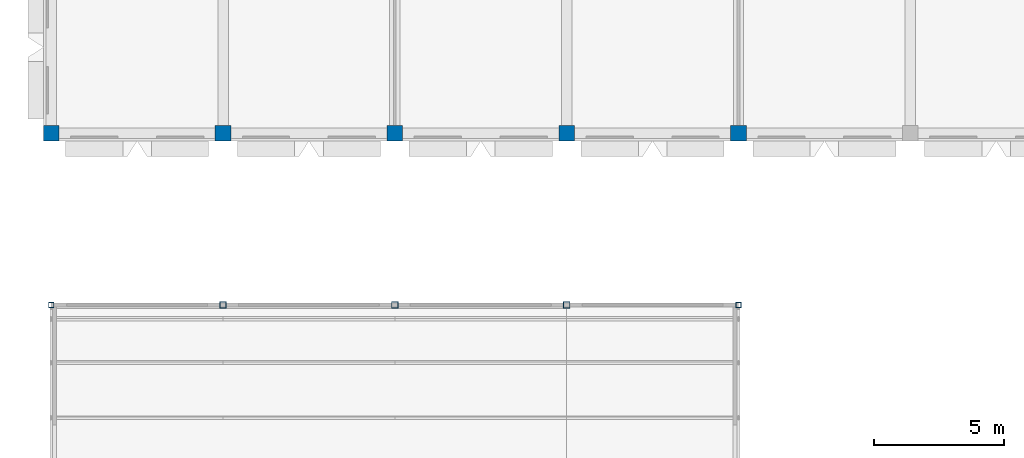
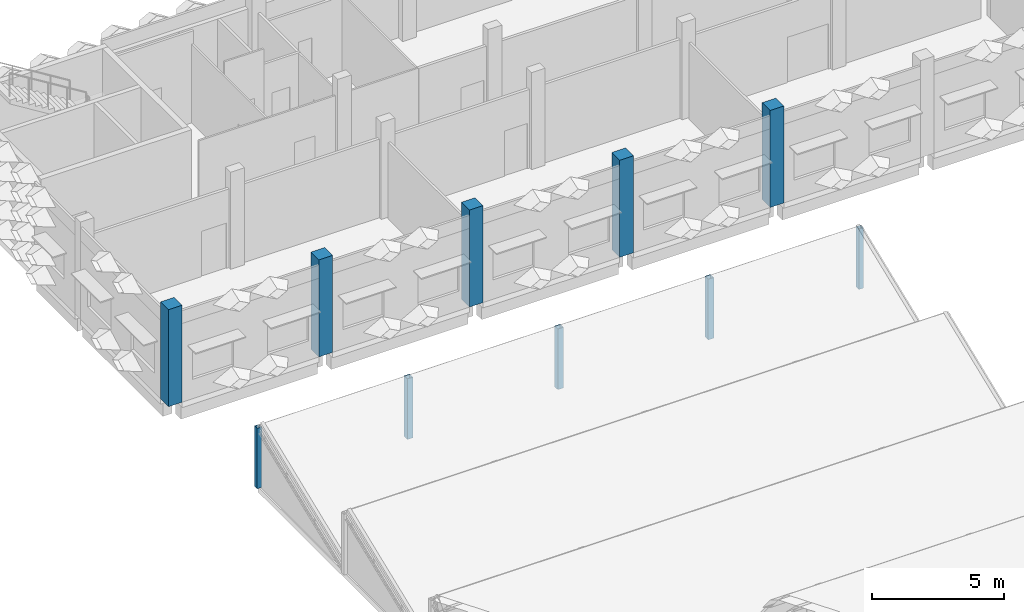
# One storey, part 3 of 109: 10 columns.
"""IFC4 building model written with IfcOpenShell, lengths in metres."""

from ifc_helpers import new_model, si_unit, direction, frame, origin, origin_2d, place, context, subcontext, project, spatial, rectangle, hollow_rectangle, extrude, material, material_profile, profile_set, type_object, element, save


model = new_model("IFC4")

# Units and contexts
model_context = context("Model", 3, precision=1e-05, world=origin(), true_north=direction((0.0, 1.0)))
body_context = subcontext(model_context, "Body", "Model", "MODEL_VIEW")
ifc_project = project(units=[si_unit("LENGTHUNIT", "METRE"), si_unit("AREAUNIT", "SQUARE_METRE"), si_unit("VOLUMEUNIT", "CUBIC_METRE"), si_unit("PLANEANGLEUNIT", "RADIAN"), si_unit("MASSUNIT", "GRAM", prefix="KILO")], contexts=[model_context])

# Site, building, storey
site_placement = place(None, origin())
site = spatial("IfcSite", under=ifc_project, at=site_placement, CompositionType="ELEMENT")
building_placement = place(site_placement, origin())
building = spatial("IfcBuilding", under=site, at=building_placement, Name="Lantern Court Research Institute", CompositionType="ELEMENT")
storey_placement = place(building_placement, frame((0.0, 0.0, 14.39990234375)))
storey = spatial("IfcBuildingStorey", under=building, at=storey_placement, Name="L03", CompositionType="ELEMENT", Elevation=14.39990234375)

# Columns
ifc_material_1 = material(Name="Concrete C40/50", Category="concrete")
ifc_material_profile_1 = material_profile(ifc_material_1, rectangle(XDim=0.60009765625, YDim=0.60009765625, at=origin_2d()), Name="RC column 600 x 600")
ifc_profile_set_1 = profile_set([ifc_material_profile_1], Name="Concrete C40/50")
column_type_1 = type_object("IfcColumnType", Name="RC column 600 x 600", PredefinedType="COLUMN", material=ifc_profile_set_1)
for number, where, z_axis, x_axis, name in (
    (1, (0.0, 82.5, 0.0), (0.0, 0.0, 1.0), (1.0, 0.0, 0.0), "Column L03 grid 1/J"),
    (2, (6.60009765625, 82.5, 0.0), (0.0, 0.0, 1.0), (1.0, 0.0, 0.0), "Column L03 grid 2/J"),
    (3, (13.199951171875, 82.5, 0.0), (0.0, 0.0, 1.0), (1.0, 0.0, 0.0), "Column L03 grid 3/J"),
    (4, (19.800048828125, 82.5, 0.0), (0.0, 0.0, 1.0), (1.0, 0.0, 0.0), "Column L03 grid 4/J"),
    (5, (26.39990234375, 82.5, 0.0), (0.0, 0.0, 1.0), (1.0, 0.0, 0.0), "Column L03 grid 5/J"),
):
    element("IfcColumn", number, at=place(storey_placement, frame(where, z_axis=z_axis, x_axis=x_axis)), inside=storey, type_object=column_type_1, Name=name, PredefinedType="COLUMN", context=body_context, shape_type="SweptSolid", body=[
        extrude(rectangle(XDim=0.60009765625, YDim=0.60009765625, at=origin_2d()), origin(), (0.0, 0.0, 1.0), 4.5),
    ])
ifc_material_2 = material(Name="Structural steel S355", Category="steel")
ifc_material_profile_2 = material_profile(ifc_material_2, hollow_rectangle(XDim=0.199951171875, YDim=0.199951171875, WallThickness=0.010009765625, at=origin_2d()), Name="Sawtooth edge post RHS 200 x 200 x 10")
ifc_profile_set_2 = profile_set([ifc_material_profile_2], Name="Structural steel S355")
column_type_2 = type_object("IfcColumnType", Name="Sawtooth edge post RHS 200 x 200 x 10", PredefinedType="COLUMN", material=ifc_profile_set_2)
for number, where, z_axis, x_axis, name in (
    (6, (0.0, 75.89990234375, 0.0), (0.0, 0.0, 1.0), (1.0, 0.0, 0.0), "Sawtooth post"),
    (7, (26.39990234375, 75.89990234375, 0.0), (0.0, 0.0, 1.0), (1.0, 0.0, 0.0), "Sawtooth post"),
):
    element("IfcColumn", number, at=place(storey_placement, frame(where, z_axis=z_axis, x_axis=x_axis)), inside=storey, type_object=column_type_2, Name=name, PredefinedType="COLUMN", context=body_context, shape_type="SweptSolid", body=[
        extrude(hollow_rectangle(XDim=0.199951171875, YDim=0.199951171875, WallThickness=0.010009765625, at=origin_2d()), origin(), (0.0, 0.0, 1.0), 2.810791015625),
    ])
ifc_material_3 = material(Name="Structural steel S355", Category="steel")
ifc_material_profile_3 = material_profile(ifc_material_3, hollow_rectangle(XDim=0.25, YDim=0.25, WallThickness=0.012451171875, at=origin_2d()), Name="Sawtooth post RHS 250 x 250 x 12.5")
ifc_profile_set_3 = profile_set([ifc_material_profile_3], Name="Structural steel S355")
column_type_3 = type_object("IfcColumnType", Name="Sawtooth post RHS 250 x 250 x 12.5", PredefinedType="COLUMN", material=ifc_profile_set_3)
for number, where, z_axis, x_axis, name in (
    (8, (6.60009765625, 75.89990234375, 0.0), (0.0, 0.0, 1.0), (1.0, 0.0, 0.0), "Sawtooth post"),
    (9, (13.199951171875, 75.89990234375, 0.0), (0.0, 0.0, 1.0), (1.0, 0.0, 0.0), "Sawtooth post"),
    (10, (19.800048828125, 75.89990234375, 0.0), (0.0, 0.0, 1.0), (1.0, 0.0, 0.0), "Sawtooth post"),
):
    element("IfcColumn", number, at=place(storey_placement, frame(where, z_axis=z_axis, x_axis=x_axis)), inside=storey, type_object=column_type_3, Name=name, PredefinedType="COLUMN", context=body_context, shape_type="SweptSolid", body=[
        extrude(hollow_rectangle(XDim=0.25, YDim=0.25, WallThickness=0.012451171875, at=origin_2d()), origin(), (0.0, 0.0, 1.0), 2.810791015625),
    ])

save(model, "model.ifc")
